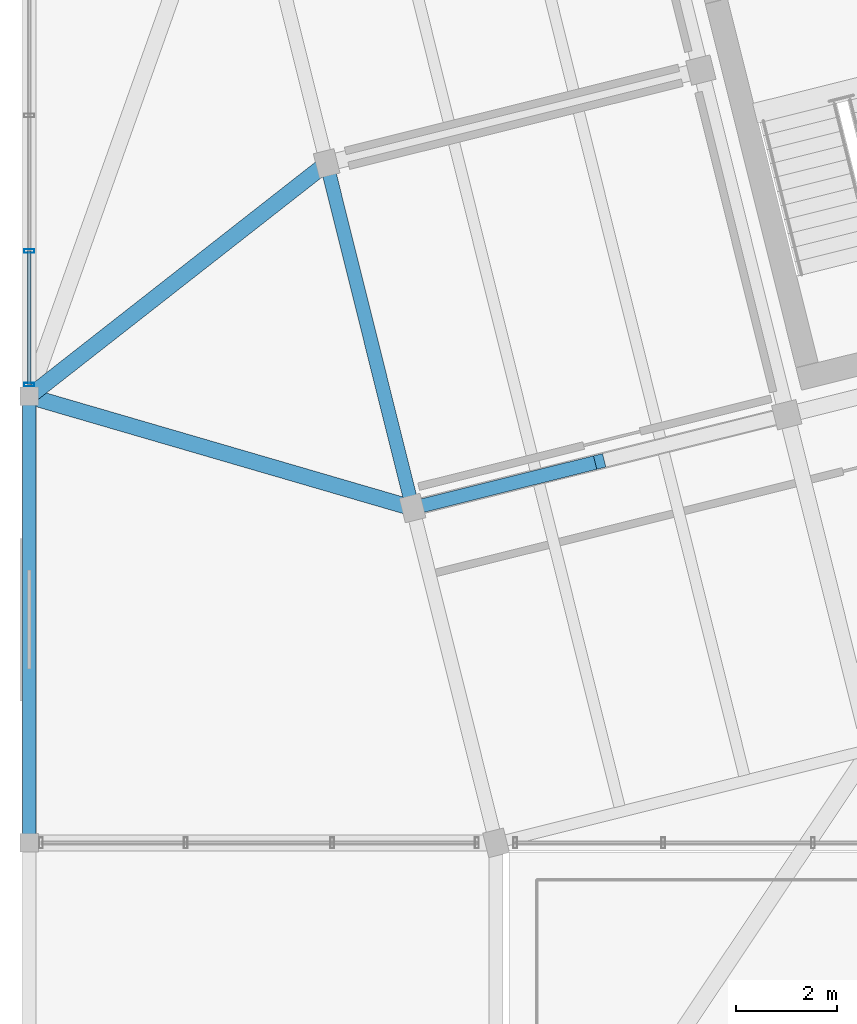
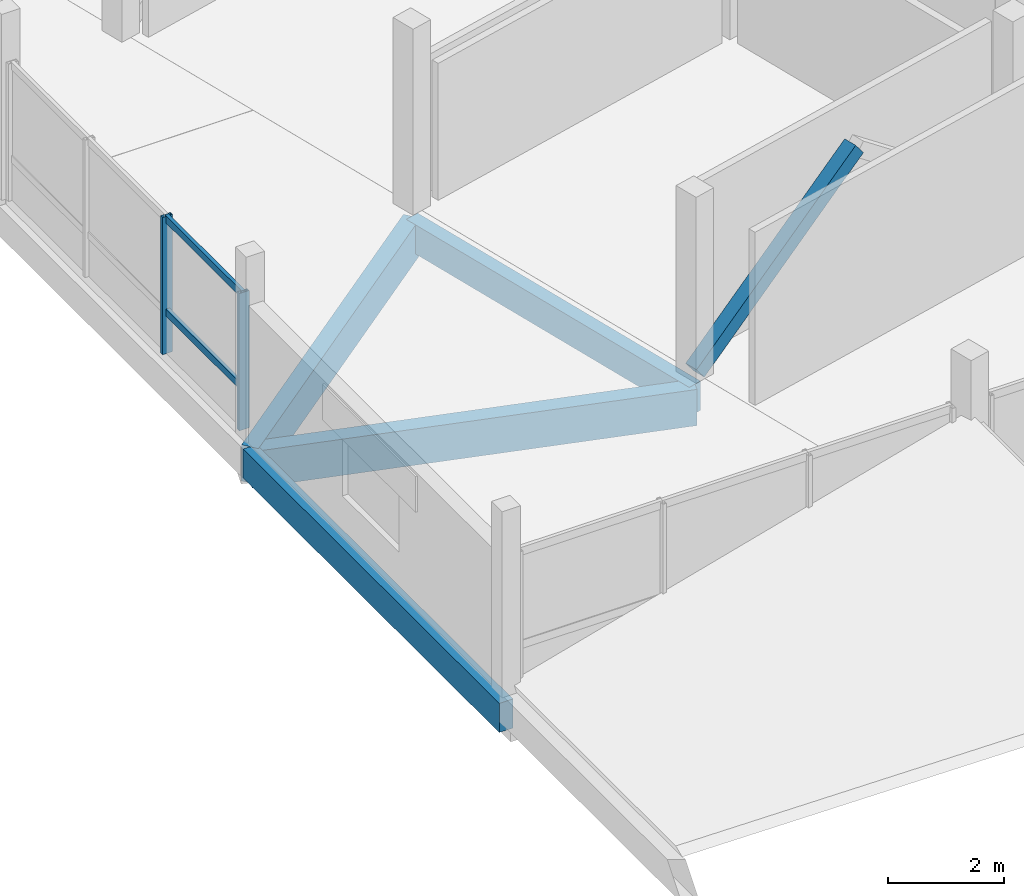
# One storey, part 9 of 39: 5 members, 4 beams, 1 element without a shape of its own.
"""IFC4 building model written with IfcOpenShell, lengths in metres."""

from ifc_helpers import new_model, si_unit, direction, frame, origin, origin_2d, place, context, subcontext, project, spatial, rectangle, hollow_rectangle, extrude, material, layer, layer_set, material_profile, profile_set, type_object, element, aggregate, save


model = new_model("IFC4")

# Units and contexts
model_context = context("Model", 3, precision=1e-05, world=origin(), true_north=direction((0.0, 1.0)))
body_context = subcontext(model_context, "Body", "Model", "MODEL_VIEW")
ifc_project = project(units=[si_unit("LENGTHUNIT", "METRE"), si_unit("AREAUNIT", "SQUARE_METRE"), si_unit("VOLUMEUNIT", "CUBIC_METRE"), si_unit("PLANEANGLEUNIT", "RADIAN"), si_unit("MASSUNIT", "GRAM", prefix="KILO")], contexts=[model_context])

# Site, building, storey
site_placement = place(None, origin())
site = spatial("IfcSite", under=ifc_project, at=site_placement, CompositionType="ELEMENT")
building_placement = place(site_placement, origin())
building = spatial("IfcBuilding", under=site, at=building_placement, Name="Meriwether Solvik Hall", CompositionType="ELEMENT")
storey_placement = place(building_placement, frame((0.0, 0.0, 22.199951171875)))
storey = spatial("IfcBuildingStorey", under=building, at=storey_placement, Name="L05", CompositionType="ELEMENT", Elevation=22.199951171875)

# Beams
ifc_material_1 = material(Name="Glulam Douglas-Fir 24F-V8 GL28h", Category="wood")
ifc_material_profile_1 = material_profile(ifc_material_1, rectangle(XDim=0.27294921875, YDim=0.610107421875, at=origin_2d()), Name="GLB-273X610")
ifc_profile_set_1 = profile_set([ifc_material_profile_1], Name="Glulam Douglas-Fir 24F-V8 GL28h")
beam_type_1 = type_object("IfcBeamType", Name="BM-GL-273X610", PredefinedType="SPANDREL", material=ifc_profile_set_1)
beam_1_placement = place(storey_placement, frame((59.39990234375, 41.199951171875, -0.550048828125), z_axis=(0.0, 1.0, 0.0), x_axis=(-1.0, 0.0, 0.0)))
element("IfcBeam", 1, at=beam_1_placement, inside=storey, type_object=beam_type_1, Name="Podium Girder 7:E-F (L05)", PredefinedType="SPANDREL", context=body_context, shape_type="SweptSolid", body=[
    extrude(rectangle(XDim=0.27294921875, YDim=0.610107421875, at=origin_2d()), origin(), (0.0, 0.0, 1.0), 8.800048828125),
])
beam_2_placement = place(storey_placement, frame((66.954833984375, 47.798095703125, -0.550048828125), z_axis=(-0.241911879182, 0.970298223594, 0.0), x_axis=(-0.970298223594, -0.241911879182, 0.0)))
element("IfcBeam", 2, at=beam_2_placement, inside=storey, type_object=beam_type_1, Name="Tower Girder T1:TB-TC (L05)", PredefinedType="SPANDREL", context=body_context, shape_type="SweptSolid", body=[
    extrude(rectangle(XDim=0.27294921875, YDim=0.610107421875, at=origin_2d()), origin(), (0.0, 0.0, 1.0), 7.0),
])
ifc_material_2 = material(Name="Glulam Douglas-Fir 24F-V8 GL28h", Category="wood")
ifc_material_profile_2 = material_profile(ifc_material_2, rectangle(XDim=0.31494140625, YDim=0.760009765625, at=origin_2d()), Name="GLB-315X760")
ifc_profile_set_2 = profile_set([ifc_material_profile_2], Name="Glulam Douglas-Fir 24F-V8 GL28h")
beam_type_2 = type_object("IfcBeamType", Name="BM-GL-315X760", PredefinedType="BEAM", material=ifc_profile_set_2)
beam_3_placement = place(storey_placement, frame((66.954833984375, 47.798095703125, -0.625), z_axis=(-0.960055229861, 0.279810570952, 0.0), x_axis=(-0.279810570952, -0.960055229861, 0.0)))
element("IfcBeam", 3, at=beam_3_placement, inside=storey, type_object=beam_type_2, Name="Diaphragm Collector Girder T1/TB-7/F (L05)", PredefinedType="BEAM", context=body_context, shape_type="SweptSolid", body=[
    extrude(rectangle(XDim=0.31494140625, YDim=0.760009765625, at=origin_2d()), origin(), (0.0, 0.0, 1.0), 7.869384765625),
])
beam_4_placement = place(storey_placement, frame((65.261474609375, 54.590087890625, -0.625), z_axis=(-0.787324356442, -0.616539015597, 0.0), x_axis=(0.616539015597, -0.787324356442, 0.0)))
element("IfcBeam", 4, at=beam_4_placement, inside=storey, type_object=beam_type_2, Name="Diaphragm Collector Girder T1/TC-7/F (L05)", PredefinedType="BEAM", context=body_context, shape_type="SweptSolid", body=[
    extrude(rectangle(XDim=0.31494140625, YDim=0.760009765625, at=origin_2d()), origin(), (0.0, 0.0, 1.0), 7.44482421875),
])

# Curtain wall, members
ifc_material_3 = material(Name="Thermally Broken Anodised Aluminium 6063-T6 and Low-E Glass", Category="aluminium")
ifc_layer = layer(ifc_material_3, 0.179931640625)
ifc_layer_set = layer_set([ifc_layer], Name="Thermally Broken Anodised Aluminium 6063-T6 and Low-E Glass")
curtain_wall_type = type_object("IfcCurtainWallType", Name="CW-UNIT-E", PredefinedType="USERDEFINED", material=ifc_layer_set)
curtain_wall_placement = place(storey_placement, origin())
curtain_wall = element("IfcCurtainWall", 5, at=curtain_wall_placement, inside=storey, type_object=curtain_wall_type, Name="Curtain Wall wing_Y7_6_13 (L05)", ObjectType="UNITISED CURTAIN WALL", PredefinedType="USERDEFINED")
ifc_material_4 = material(Name="Anodised Aluminium 6063-T6", Category="aluminium")
ifc_material_profile_3 = material_profile(ifc_material_4, hollow_rectangle(XDim=0.070068359375, YDim=0.199951171875, WallThickness=0.0048828125, at=origin_2d()), Name="CWM-70X200")
ifc_profile_set_3 = profile_set([ifc_material_profile_3], Name="Anodised Aluminium 6063-T6")
member_type_1 = type_object("IfcMemberType", Name="CW-MUL-70X200", PredefinedType="MULLION", material=ifc_profile_set_3)
member_1_placement = place(storey_placement, frame((59.39990234375, 50.232421875, 0.0), z_axis=(0.0, 0.0, 1.0), x_axis=(0.0, 1.0, 0.0)))
member_1 = element("IfcMember", 6, at=member_1_placement, type_object=member_type_1, Name="Curtain Wall Mullion 1", PredefinedType="MULLION", context=body_context, shape_type="SweptSolid", body=[
    extrude(hollow_rectangle(XDim=0.070068359375, YDim=0.199951171875, WallThickness=0.0048828125, at=origin_2d()), origin(), (0.0, 0.0, 1.0), 2.880126953125),
])
member_2_placement = place(storey_placement, frame((59.39990234375, 52.86474609375, 0.0), z_axis=(0.0, 0.0, 1.0), x_axis=(0.0, 1.0, 0.0)))
member_2 = element("IfcMember", 7, at=member_2_placement, type_object=member_type_1, Name="Curtain Wall Mullion 2", PredefinedType="MULLION", context=body_context, shape_type="SweptSolid", body=[
    extrude(hollow_rectangle(XDim=0.070068359375, YDim=0.199951171875, WallThickness=0.0048828125, at=origin_2d()), origin(), (0.0, 0.0, 1.0), 2.880126953125),
])
ifc_material_5 = material(Name="Anodised Aluminium 6063-T6", Category="aluminium")
ifc_material_profile_4 = material_profile(ifc_material_5, hollow_rectangle(XDim=0.070068359375, YDim=0.14990234375, WallThickness=0.0048828125, at=origin_2d()), Name="CWT-70X150")
ifc_profile_set_4 = profile_set([ifc_material_profile_4], Name="Anodised Aluminium 6063-T6")
member_type_2 = type_object("IfcMemberType", Name="CW-TRN-70X150", PredefinedType="USERDEFINED", material=ifc_profile_set_4)
member_3_placement = place(storey_placement, frame((59.39990234375, 50.232421875, 0.864013671875), z_axis=(0.0, 1.0, 0.0), x_axis=(-1.0, 0.0, 0.0)))
member_3 = element("IfcMember", 8, at=member_3_placement, type_object=member_type_2, Name="Curtain Wall Transom 1-sill", ObjectType="TRANSOM", PredefinedType="USERDEFINED", context=body_context, shape_type="SweptSolid", body=[
    extrude(hollow_rectangle(XDim=0.070068359375, YDim=0.14990234375, WallThickness=0.0048828125, at=origin_2d()), origin(), (0.0, 0.0, 1.0), 2.63232421875),
])
member_4_placement = place(storey_placement, frame((59.39990234375, 50.232421875, 2.820068359375), z_axis=(0.0, 1.0, 0.0), x_axis=(-1.0, 0.0, 0.0)))
member_4 = element("IfcMember", 9, at=member_4_placement, type_object=member_type_2, Name="Curtain Wall Transom 1-head", ObjectType="TRANSOM", PredefinedType="USERDEFINED", context=body_context, shape_type="SweptSolid", body=[
    extrude(hollow_rectangle(XDim=0.070068359375, YDim=0.14990234375, WallThickness=0.0048828125, at=origin_2d()), origin(), (0.0, 0.0, 1.0), 2.63232421875),
])
aggregate(curtain_wall, [member_1, member_2, member_3, member_4])

# Member
ifc_material_6 = material(Name="Glulam Douglas-Fir 24F-V8 GL28h", Category="wood")
ifc_material_profile_5 = material_profile(ifc_material_6, rectangle(XDim=0.27294921875, YDim=0.304931640625, at=origin_2d()), Name="GLM-273X305")
ifc_profile_set_5 = profile_set([ifc_material_profile_5], Name="Glulam Douglas-Fir 24F-V8 GL28h")
member_type_3 = type_object("IfcMemberType", Name="MEM-BR-GL273", PredefinedType="BRACE", material=ifc_profile_set_5)
member_5_placement = place(storey_placement, frame((66.954833984375, 47.798095703125, 0.050048828125), z_axis=(0.775260347367, 0.193263272717, 0.601349067696), x_axis=(-0.241885553952, 0.970304786544, 0.0)))
element("IfcMember", 10, at=member_5_placement, inside=storey, type_object=member_type_3, Name="Tower Chevron Brace L05-B1A", PredefinedType="BRACE", context=body_context, shape_type="SweptSolid", body=[
    extrude(rectangle(XDim=0.27294921875, YDim=0.304931640625, at=origin_2d()), origin(), (0.0, 0.0, 1.0), 4.756103515625),
])

save(model, "model.ifc")
